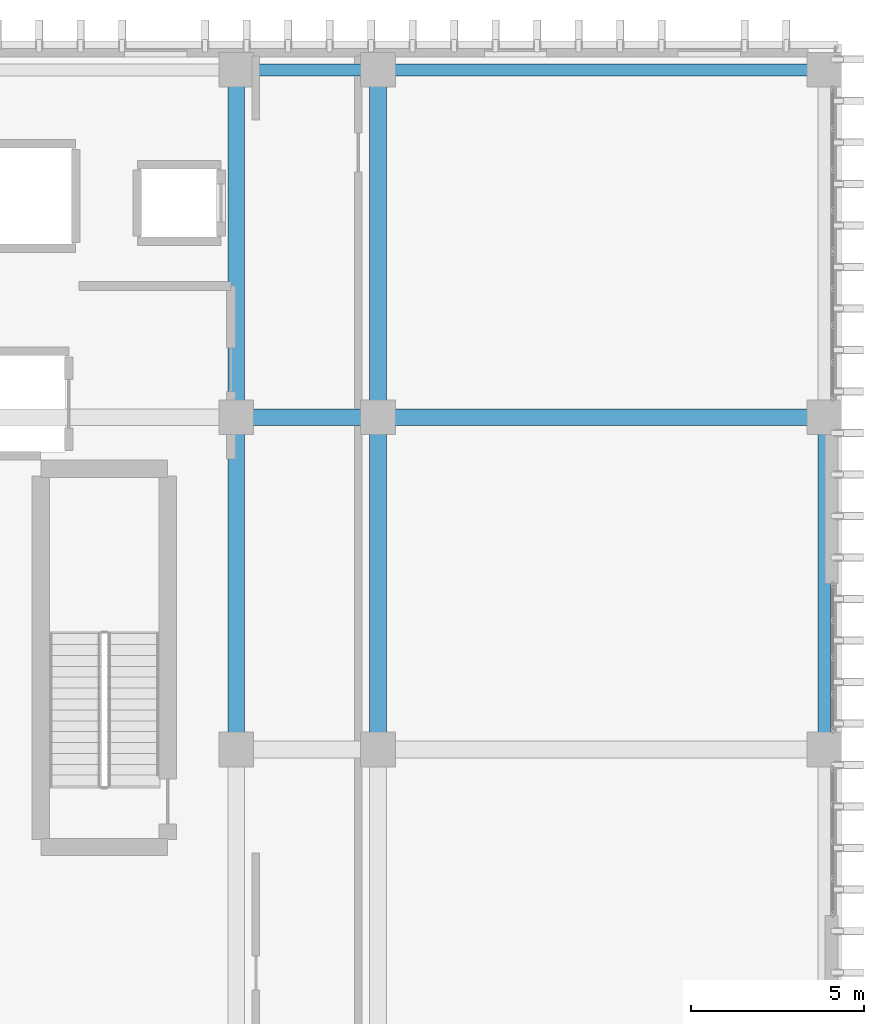
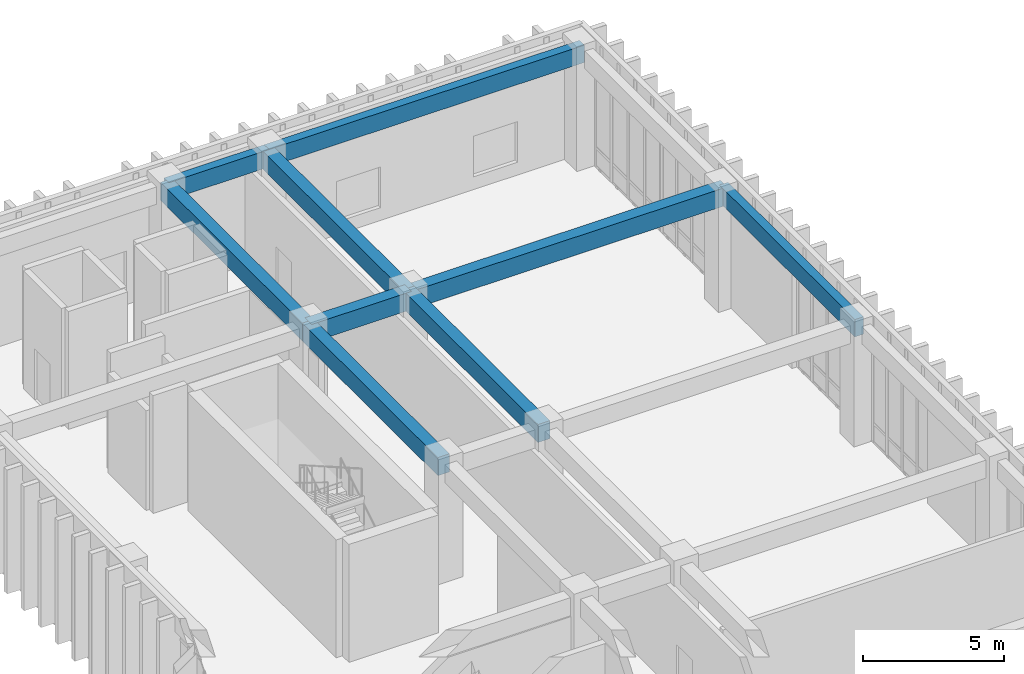
# One storey, part 85 of 134: 9 beams.
"""IFC4 building model written with IfcOpenShell, lengths in metres."""

from ifc_helpers import new_model, si_unit, direction, frame, origin, origin_2d, place, context, subcontext, project, spatial, rectangle, extrude, material, material_profile, profile_set, type_object, element, save


model = new_model("IFC4")

# Units and contexts
model_context = context("Model", 3, precision=1e-05, world=origin(), true_north=direction((0.0, 1.0)))
body_context = subcontext(model_context, "Body", "Model", "MODEL_VIEW")
ifc_project = project(units=[si_unit("LENGTHUNIT", "METRE"), si_unit("AREAUNIT", "SQUARE_METRE"), si_unit("VOLUMEUNIT", "CUBIC_METRE"), si_unit("PLANEANGLEUNIT", "RADIAN"), si_unit("MASSUNIT", "GRAM", prefix="KILO")], contexts=[model_context])

# Site, building, storey
site_placement = place(None, origin())
site = spatial("IfcSite", under=ifc_project, at=site_placement, CompositionType="ELEMENT")
building_placement = place(site_placement, origin())
building = spatial("IfcBuilding", under=site, at=building_placement, Name="Nakhvara Creek Congress Hotel", CompositionType="ELEMENT")
storey_placement = place(building_placement, frame((0.0, 0.0, 6.0)))
storey = spatial("IfcBuildingStorey", under=building, at=storey_placement, Name="L01", CompositionType="ELEMENT", Elevation=6.0)

# Beams
ifc_material = material(Name="Concrete C40/50", Category="concrete")
ifc_material_profile_1 = material_profile(ifc_material, rectangle(XDim=0.47998046875, YDim=0.780029296875, at=origin_2d()), Name="RC-BM 480x780", Category="LoadBearing")
ifc_profile_set_1 = profile_set([ifc_material_profile_1], Name="Concrete C40/50")
beam_type_1 = type_object("IfcBeamType", Name="BM-RC-480X780", PredefinedType="BEAM", material=ifc_profile_set_1)
beam_1_placement = place(storey_placement, frame((162.35009765625, 105.60009765625, 4.7099609375), z_axis=(0.0, 1.0, 0.0), x_axis=(-1.0, 0.0, 0.0)))
element("IfcBeam", 1, at=beam_1_placement, inside=storey, type_object=beam_type_1, Name="Beam B13-L01-1319", PredefinedType="BEAM", context=body_context, shape_type="SweptSolid", body=[
    extrude(rectangle(XDim=0.47998046875, YDim=0.780029296875, at=origin_2d()), origin(), (0.0, 0.0, 1.0), 9.599853515625),
])
beam_2_placement = place(storey_placement, frame((162.35009765625, 115.199951171875, 4.7099609375), z_axis=(0.0, 1.0, 0.0), x_axis=(-1.0, 0.0, 0.0)))
element("IfcBeam", 2, at=beam_2_placement, inside=storey, type_object=beam_type_1, Name="Beam B13-L01-1321", PredefinedType="BEAM", context=body_context, shape_type="SweptSolid", body=[
    extrude(rectangle(XDim=0.47998046875, YDim=0.780029296875, at=origin_2d()), origin(), (0.0, 0.0, 1.0), 10.050048828125),
])
beam_3_placement = place(storey_placement, frame((162.35009765625, 115.199951171875, 4.7099609375), z_axis=(1.0, 0.0, 0.0), x_axis=(0.0, 1.0, 0.0)))
element("IfcBeam", 3, at=beam_3_placement, inside=storey, type_object=beam_type_1, Name="Beam B13-L01-1322", PredefinedType="BEAM", context=body_context, shape_type="SweptSolid", body=[
    extrude(rectangle(XDim=0.47998046875, YDim=0.780029296875, at=origin_2d()), origin(), (0.0, 0.0, 1.0), 4.099853515625),
])
beam_4_placement = place(storey_placement, frame((166.449951171875, 105.60009765625, 4.7099609375), z_axis=(0.0, 1.0, 0.0), x_axis=(-1.0, 0.0, 0.0)))
element("IfcBeam", 4, at=beam_4_placement, inside=storey, type_object=beam_type_1, Name="Beam B13-L01-1344", PredefinedType="BEAM", context=body_context, shape_type="SweptSolid", body=[
    extrude(rectangle(XDim=0.47998046875, YDim=0.780029296875, at=origin_2d()), origin(), (0.0, 0.0, 1.0), 9.599853515625),
])
beam_5_placement = place(storey_placement, frame((166.449951171875, 115.199951171875, 4.7099609375), z_axis=(0.0, 1.0, 0.0), x_axis=(-1.0, 0.0, 0.0)))
element("IfcBeam", 5, at=beam_5_placement, inside=storey, type_object=beam_type_1, Name="Beam B13-L01-1346", PredefinedType="BEAM", context=body_context, shape_type="SweptSolid", body=[
    extrude(rectangle(XDim=0.47998046875, YDim=0.780029296875, at=origin_2d()), origin(), (0.0, 0.0, 1.0), 10.050048828125),
])
beam_6_placement = place(storey_placement, frame((166.449951171875, 115.199951171875, 4.7099609375), z_axis=(1.0, 0.0, 0.0), x_axis=(0.0, 1.0, 0.0)))
element("IfcBeam", 6, at=beam_6_placement, inside=storey, type_object=beam_type_1, Name="Beam B13-L01-1347", PredefinedType="BEAM", context=body_context, shape_type="SweptSolid", body=[
    extrude(rectangle(XDim=0.47998046875, YDim=0.780029296875, at=origin_2d()), origin(), (0.0, 0.0, 1.0), 12.900146484375),
])
ifc_material_profile_2 = material_profile(ifc_material, rectangle(XDim=0.35009765625, YDim=0.75, at=origin_2d()), Name="RC-SPANDREL 350x750", Category="LoadBearing")
ifc_profile_set_2 = profile_set([ifc_material_profile_2], Name="Concrete C40/50")
beam_type_2 = type_object("IfcBeamType", Name="BM-SPN-350X750", PredefinedType="SPANDREL", material=ifc_profile_set_2)
beam_7_placement = place(storey_placement, frame((162.35009765625, 125.25, 4.72509765625), z_axis=(1.0, 0.0, 0.0), x_axis=(0.0, 1.0, 0.0)))
element("IfcBeam", 7, at=beam_7_placement, inside=storey, type_object=beam_type_2, Name="Beam SP1-L01-1323", PredefinedType="SPANDREL", context=body_context, shape_type="SweptSolid", body=[
    extrude(rectangle(XDim=0.35009765625, YDim=0.75, at=origin_2d()), origin(), (0.0, 0.0, 1.0), 4.099853515625),
])
beam_8_placement = place(storey_placement, frame((166.449951171875, 125.25, 4.72509765625), z_axis=(1.0, 0.0, 0.0), x_axis=(0.0, 1.0, 0.0)))
element("IfcBeam", 8, at=beam_8_placement, inside=storey, type_object=beam_type_2, Name="Beam SP1-L01-1348", PredefinedType="SPANDREL", context=body_context, shape_type="SweptSolid", body=[
    extrude(rectangle(XDim=0.35009765625, YDim=0.75, at=origin_2d()), origin(), (0.0, 0.0, 1.0), 12.900146484375),
])
beam_9_placement = place(storey_placement, frame((179.35009765625, 105.60009765625, 4.72509765625), z_axis=(0.0, 1.0, 0.0), x_axis=(-1.0, 0.0, 0.0)))
element("IfcBeam", 9, at=beam_9_placement, inside=storey, type_object=beam_type_2, Name="Beam SP1-L01-1360", PredefinedType="SPANDREL", context=body_context, shape_type="SweptSolid", body=[
    extrude(rectangle(XDim=0.35009765625, YDim=0.75, at=origin_2d()), origin(), (0.0, 0.0, 1.0), 9.599853515625),
])

save(model, "model.ifc")
